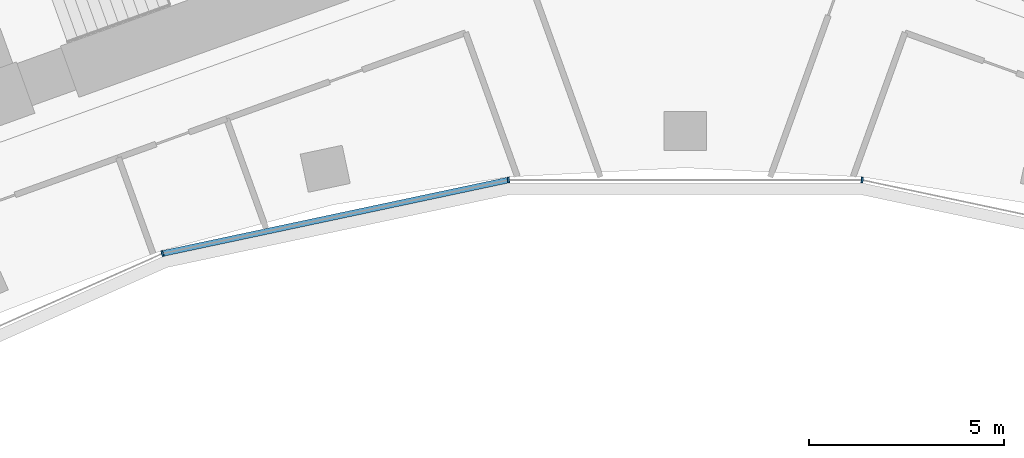
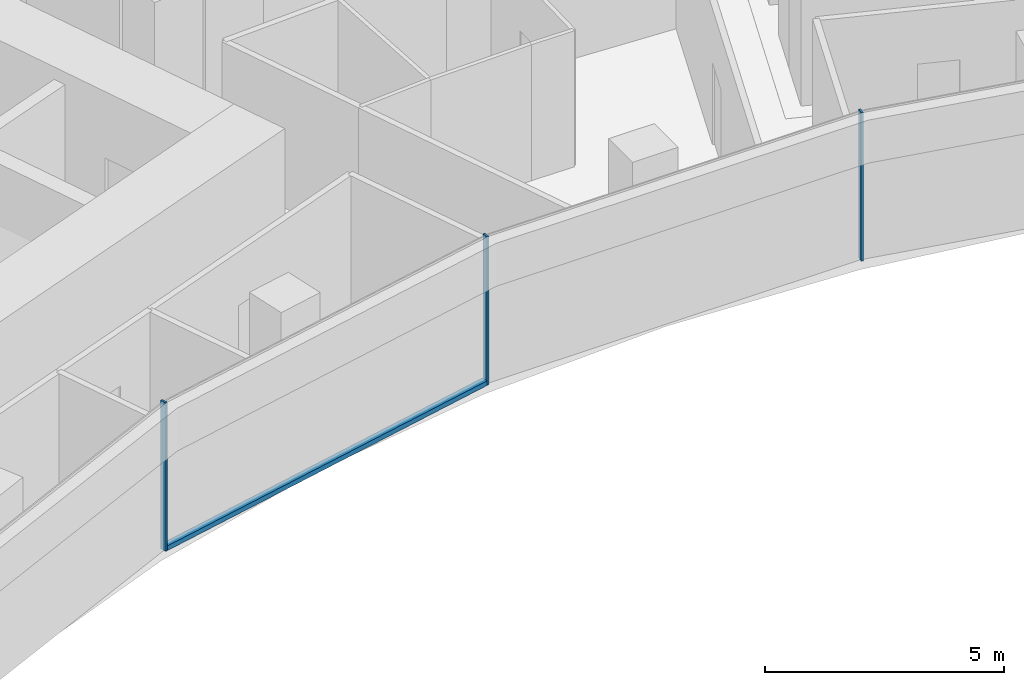
# One storey, part 5 of 21: 4 members, 1 element without a shape of its own.
"""IFC4 building model written with IfcOpenShell, lengths in metres."""

from ifc_helpers import new_model, si_unit, direction, frame, origin, origin_2d, place, context, subcontext, project, spatial, rectangle, extrude, material, layer, layer_set, material_profile, profile_set, type_object, element, aggregate, save


model = new_model("IFC4")

# Units and contexts
model_context = context("Model", 3, precision=1e-05, world=origin(), true_north=direction((0.0, 1.0)))
body_context = subcontext(model_context, "Body", "Model", "MODEL_VIEW")
ifc_project = project(units=[si_unit("LENGTHUNIT", "METRE"), si_unit("AREAUNIT", "SQUARE_METRE"), si_unit("VOLUMEUNIT", "CUBIC_METRE"), si_unit("PLANEANGLEUNIT", "RADIAN"), si_unit("MASSUNIT", "GRAM", prefix="KILO")], contexts=[model_context])

# Site, building, storey
site_placement = place(None, origin())
site = spatial("IfcSite", under=ifc_project, at=site_placement, CompositionType="ELEMENT")
building_placement = place(site_placement, origin())
building = spatial("IfcBuilding", under=site, at=building_placement, Name="Stone Belt Terrace Tower", CompositionType="ELEMENT")
storey_placement = place(building_placement, frame((0.0, 0.0, 163.0)))
storey = spatial("IfcBuildingStorey", under=building, at=storey_placement, Name="L39", CompositionType="ELEMENT", Elevation=163.0)

# Curtain wall, members
ifc_material = material(Name="Aluminium 6063-T6 anodised frame", Category="aluminium")
ifc_layer = layer(ifc_material, 0.14990234375)
ifc_layer_set = layer_set([ifc_layer], Name="CW-B unitised concave-face curtain wall")
curtain_wall_type = type_object("IfcCurtainWallType", Name="CW-B unitised concave-face curtain wall", PredefinedType="NOTDEFINED", material=ifc_layer_set)
curtain_wall_placement = place(storey_placement, origin())
curtain_wall = element("IfcCurtainWall", 1, at=curtain_wall_placement, inside=storey, type_object=curtain_wall_type, Name="CW-B concave face L39", PredefinedType="NOTDEFINED")
ifc_material_profile_1 = material_profile(ifc_material, rectangle(XDim=0.14990234375, YDim=0.050048828125, at=origin_2d()), Name="Aluminium 6063-T6 50x150")
ifc_profile_set_1 = profile_set([ifc_material_profile_1], Name="Aluminium 6063-T6 anodised frame")
member_type_1 = type_object("IfcMemberType", Name="CW-B mullion 50 x 150", PredefinedType="MULLION", material=ifc_profile_set_1)
member_1_placement = place(storey_placement, frame((-13.4189453125, 41.29931640625, 0.0), z_axis=(0.0, 0.0, 1.0), x_axis=(-0.309016994375, 0.951056516295, 0.0)))
member_1 = element("IfcMember", 2, at=member_1_placement, type_object=member_type_1, Name="CW-B mullion 4", PredefinedType="MULLION", context=body_context, shape_type="SweptSolid", body=[
    extrude(rectangle(XDim=0.14990234375, YDim=0.050048828125, at=origin_2d()), origin(), (0.0, 0.0, 1.0), 3.800048828125),
])
member_2_placement = place(storey_placement, frame((-4.5390625, 43.186767578125, 0.0), z_axis=(0.0, 0.0, 1.0), x_axis=(-0.104528463268, 0.994521895368, 0.0)))
member_2 = element("IfcMember", 3, at=member_2_placement, type_object=member_type_1, Name="CW-B mullion 5", PredefinedType="MULLION", context=body_context, shape_type="SweptSolid", body=[
    extrude(rectangle(XDim=0.14990234375, YDim=0.050048828125, at=origin_2d()), origin(), (0.0, 0.0, 1.0), 3.800048828125),
])
member_3_placement = place(storey_placement, frame((4.5390625, 43.186767578125, 0.0), z_axis=(0.0, 0.0, 1.0), x_axis=(0.104528463268, 0.994521895368, 0.0)))
member_3 = element("IfcMember", 4, at=member_3_placement, type_object=member_type_1, Name="CW-B mullion 6", PredefinedType="MULLION", context=body_context, shape_type="SweptSolid", body=[
    extrude(rectangle(XDim=0.14990234375, YDim=0.050048828125, at=origin_2d()), origin(), (0.0, 0.0, 1.0), 3.800048828125),
])
ifc_material_profile_2 = material_profile(ifc_material, rectangle(XDim=0.14990234375, YDim=0.1201171875, at=origin_2d()), Name="Aluminium 6063-T6 150x120")
ifc_profile_set_2 = profile_set([ifc_material_profile_2], Name="Aluminium 6063-T6 anodised frame")
member_type_2 = type_object("IfcMemberType", Name="CW-B transom 120 x 150", PredefinedType="USERDEFINED", material=ifc_profile_set_2)
member_4_placement = place(storey_placement, frame((-13.386962890625, 41.30615234375, 0.06005859375), z_axis=(0.9781499003, 0.207900871914, 0.0), x_axis=(-0.207900871914, 0.9781499003, 0.0)))
member_4 = element("IfcMember", 5, at=member_4_placement, type_object=member_type_2, Name="CW-B transom 4.1", ObjectType="TRANSOM", PredefinedType="USERDEFINED", context=body_context, shape_type="SweptSolid", body=[
    extrude(rectangle(XDim=0.14990234375, YDim=0.1201171875, at=origin_2d()), origin(), (0.0, 0.0, 1.0), 9.012939453125),
])
aggregate(curtain_wall, [member_1, member_2, member_3, member_4])

save(model, "model.ifc")
